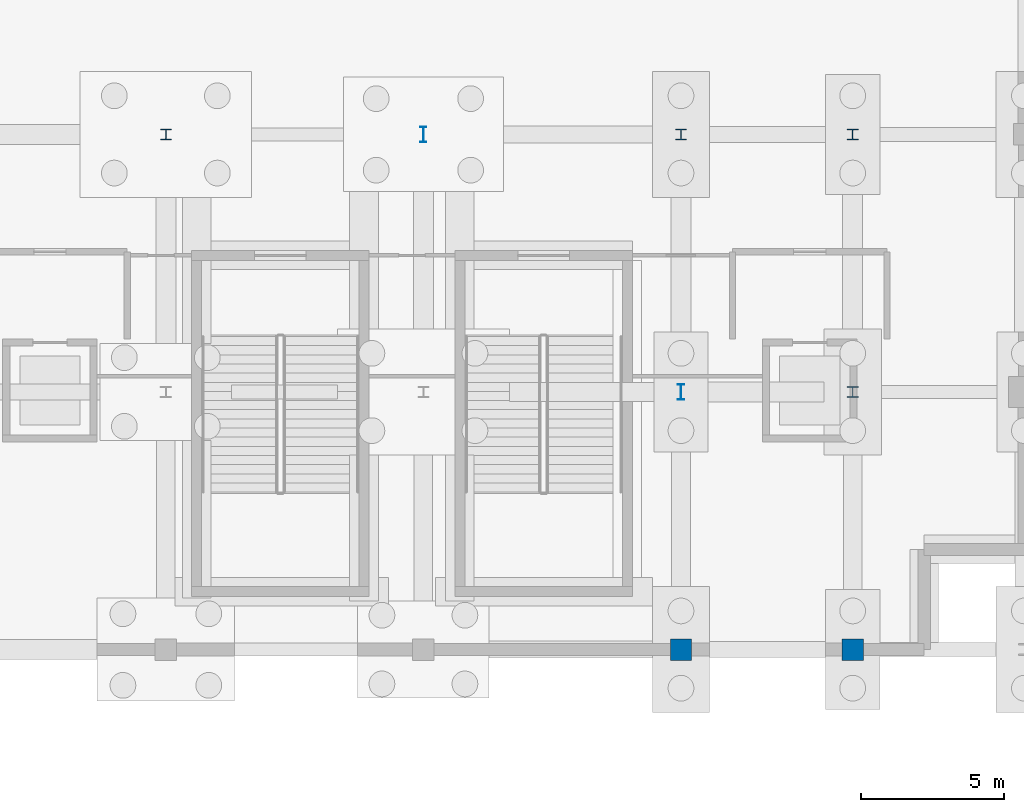
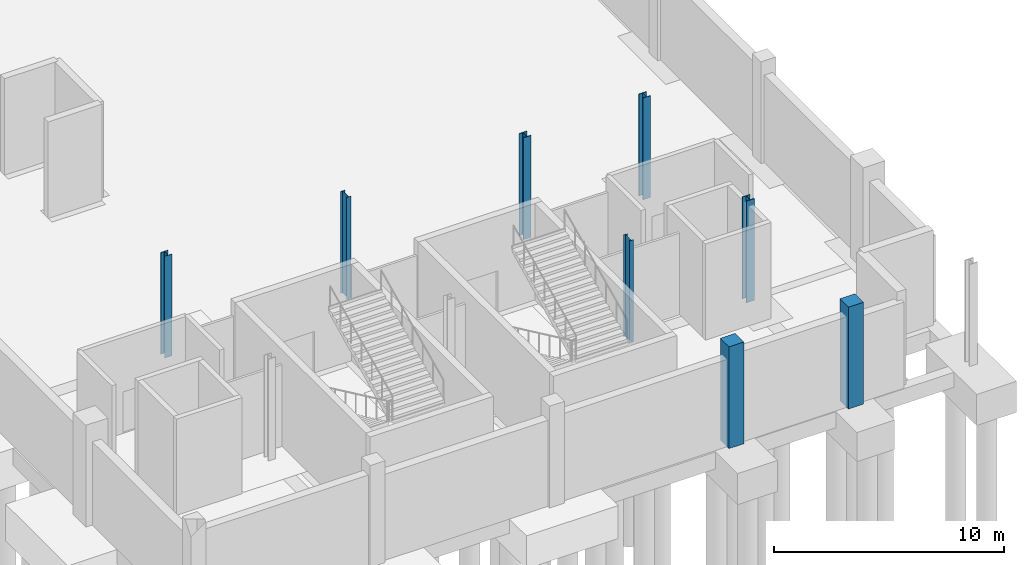
# One storey, part 27 of 58: 8 columns.
"""IFC4 building model written with IfcOpenShell, lengths in metres."""

from ifc_helpers import new_model, si_unit, direction, frame, origin, origin_2d, place, context, subcontext, project, spatial, rectangle, i_section, extrude, material, material_profile, profile_set, type_object, element, save


model = new_model("IFC4")

# Units and contexts
model_context = context("Model", 3, precision=1e-05, world=origin(), true_north=direction((0.0, 1.0)))
body_context = subcontext(model_context, "Body", "Model", "MODEL_VIEW")
ifc_project = project(units=[si_unit("LENGTHUNIT", "METRE"), si_unit("AREAUNIT", "SQUARE_METRE"), si_unit("VOLUMEUNIT", "CUBIC_METRE"), si_unit("PLANEANGLEUNIT", "RADIAN"), si_unit("MASSUNIT", "GRAM", prefix="KILO")], contexts=[model_context])

# Site, building, storey
site_placement = place(None, origin())
site = spatial("IfcSite", under=ifc_project, at=site_placement, CompositionType="ELEMENT")
building_placement = place(site_placement, origin())
building = spatial("IfcBuilding", under=site, at=building_placement, Name="Qamarlyn Nura Convention Centre", CompositionType="ELEMENT")
storey_placement = place(building_placement, frame((0.0, 0.0, -5.39990234375)))
storey = spatial("IfcBuildingStorey", under=building, at=storey_placement, Name="B01", CompositionType="ELEMENT", Elevation=-5.39990234375)

# Columns
ifc_material_1 = material(Name="Concrete C50/60", Category="concrete")
ifc_material_profile_1 = material_profile(ifc_material_1, rectangle(XDim=0.75, YDim=0.75, at=origin_2d()), Name="RC 750x750")
ifc_profile_set_1 = profile_set([ifc_material_profile_1], Name="Concrete C50/60")
column_type_1 = type_object("IfcColumnType", Name="COL-SUB-2", PredefinedType="COLUMN", material=ifc_profile_set_1)
for number, where, z_axis, x_axis, name in (
    (1, (180.0, 0.0, 0.0), (0.0, 0.0, 1.0), (1.0, 0.0, 0.0), "B01 column 16/A"),
    (2, (186.0, 0.0, 0.0), (0.0, 0.0, 1.0), (1.0, 0.0, 0.0), "B01 column 17/A"),
):
    element("IfcColumn", number, at=place(storey_placement, frame(where, z_axis=z_axis, x_axis=x_axis)), inside=storey, type_object=column_type_1, Name=name, PredefinedType="COLUMN", context=body_context, shape_type="SweptSolid", body=[
        extrude(rectangle(XDim=0.75, YDim=0.75, at=origin_2d()), origin(), (0.0, 0.0, 1.0), 5.39990234375),
    ])
ifc_material_2 = material(Name="Steel ASTM A992", Category="steel")
ifc_material_profile_2 = material_profile(ifc_material_2, i_section(OverallWidth=0.39892578125, OverallDepth=0.39306640625, WebThickness=0.022705078125, FlangeThickness=0.03662109375, FilletRadius=0.01806640625, at=origin_2d()), Name="W360X287")
ifc_profile_set_2 = profile_set([ifc_material_profile_2], Name="Steel ASTM A992")
column_type_2 = type_object("IfcColumnType", Name="COL-WING-1", PredefinedType="COLUMN", material=ifc_profile_set_2)
for number, where, z_axis, x_axis, name in (
    (3, (180.0, 18.0, 0.0), (0.0, 0.0, 1.0), (1.0, 0.0, 0.0), "B01 column 16/C"),
    (4, (186.0, 9.0, 0.0), (0.0, 0.0, 1.0), (1.0, 0.0, 0.0), "B01 column 17/B"),
):
    element("IfcColumn", number, at=place(storey_placement, frame(where, z_axis=z_axis, x_axis=x_axis)), inside=storey, type_object=column_type_2, Name=name, PredefinedType="COLUMN", context=body_context, shape_type="SweptSolid", body=[
        extrude(i_section(OverallWidth=0.39892578125, OverallDepth=0.39306640625, WebThickness=0.022705078125, FlangeThickness=0.03662109375, FilletRadius=0.01806640625, at=origin_2d()), origin(), (0.0, 0.0, 1.0), 5.39990234375),
    ])
ifc_material_profile_3 = material_profile(ifc_material_2, i_section(OverallWidth=0.3740234375, OverallDepth=0.3720703125, WebThickness=0.016357421875, FlangeThickness=0.026123046875, FilletRadius=0.01611328125, at=origin_2d()), Name="W360X196")
ifc_profile_set_3 = profile_set([ifc_material_profile_3], Name="Steel ASTM A992")
column_type_3 = type_object("IfcColumnType", Name="COL-WING-2", PredefinedType="COLUMN", material=ifc_profile_set_3)
column_1_placement = place(storey_placement, frame((186.0, 18.0, 0.0), z_axis=(0.0, 0.0, 1.0), x_axis=(1.0, 0.0, 0.0)))
element("IfcColumn", 5, at=column_1_placement, inside=storey, type_object=column_type_3, Name="B01 column 17/C", PredefinedType="COLUMN", context=body_context, shape_type="SweptSolid", body=[
    extrude(i_section(OverallWidth=0.3740234375, OverallDepth=0.3720703125, WebThickness=0.016357421875, FlangeThickness=0.026123046875, FilletRadius=0.01611328125, at=origin_2d()), origin(), (0.0, 0.0, 1.0), 5.39990234375),
])
ifc_material_profile_4 = material_profile(ifc_material_2, i_section(OverallWidth=0.368896484375, OverallDepth=0.35595703125, WebThickness=0.01123046875, FlangeThickness=0.01806640625, FilletRadius=0.014892578125, at=origin_2d()), Name="W360X134")
ifc_profile_set_4 = profile_set([ifc_material_profile_4], Name="Steel ASTM A992")
column_type_4 = type_object("IfcColumnType", Name="COL-WING-3", PredefinedType="COLUMN", material=ifc_profile_set_4)
column_2_placement = place(storey_placement, frame((162.0, 18.0, 0.0), z_axis=(0.0, 0.0, 1.0), x_axis=(1.0, 0.0, 0.0)))
element("IfcColumn", 6, at=column_2_placement, inside=storey, type_object=column_type_4, Name="B01 column 14/C", PredefinedType="COLUMN", context=body_context, shape_type="SweptSolid", body=[
    extrude(i_section(OverallWidth=0.368896484375, OverallDepth=0.35595703125, WebThickness=0.01123046875, FlangeThickness=0.01806640625, FilletRadius=0.014892578125, at=origin_2d()), origin(), (0.0, 0.0, 1.0), 5.39990234375),
])
ifc_material_profile_5 = material_profile(ifc_material_2, i_section(OverallWidth=0.2109375, OverallDepth=0.5390625, WebThickness=0.01171875, FlangeThickness=0.018798828125, FilletRadius=0.013916015625, at=origin_2d()), Name="W530X109")
ifc_profile_set_5 = profile_set([ifc_material_profile_5], Name="Steel ASTM A992")
column_type_5 = type_object("IfcColumnType", Name="COL-WING-7", PredefinedType="COLUMN", material=ifc_profile_set_5)
for number, where, z_axis, x_axis, name in (
    (7, (171.0, 18.0, 0.0), (0.0, 0.0, 1.0), (1.0, 0.0, 0.0), "B01 column 15/C"),
    (8, (180.0, 9.0, 0.0), (0.0, 0.0, 1.0), (1.0, 0.0, 0.0), "B01 column 16/B"),
):
    element("IfcColumn", number, at=place(storey_placement, frame(where, z_axis=z_axis, x_axis=x_axis)), inside=storey, type_object=column_type_5, Name=name, PredefinedType="COLUMN", context=body_context, shape_type="SweptSolid", body=[
        extrude(i_section(OverallWidth=0.2109375, OverallDepth=0.5390625, WebThickness=0.01171875, FlangeThickness=0.018798828125, FilletRadius=0.013916015625, at=origin_2d()), origin(), (0.0, 0.0, 1.0), 5.39990234375),
    ])

save(model, "model.ifc")
